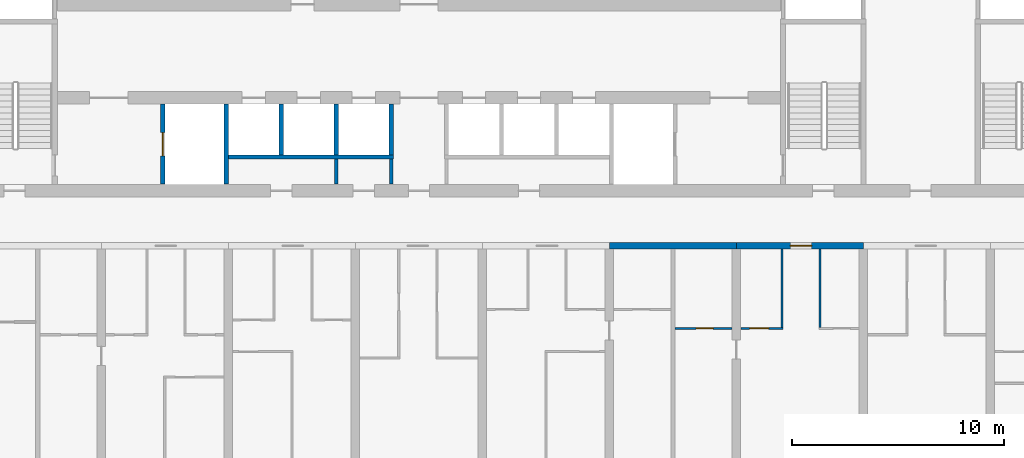
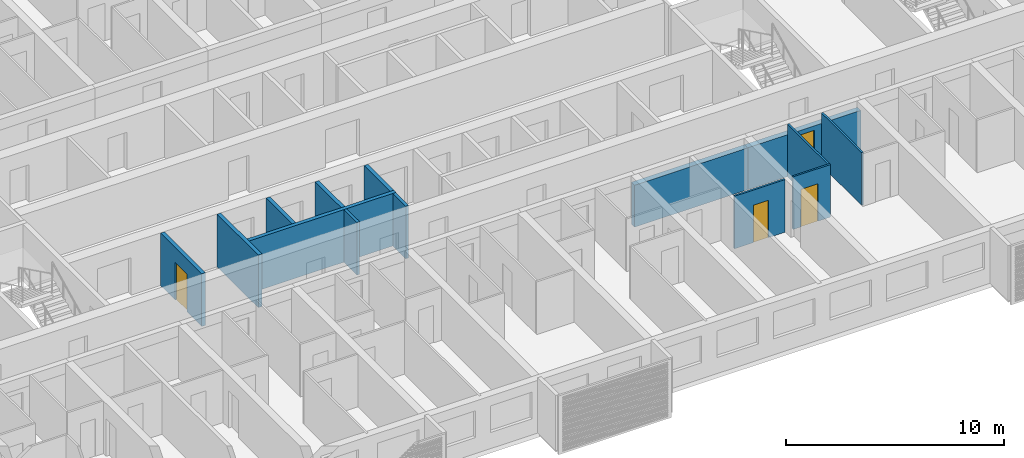
# One storey, part 6 of 39: 14 walls, 4 doors, 4 openings.
"""IFC4 building model written with IfcOpenShell, lengths in metres."""

from ifc_helpers import new_model, si_unit, direction, frame, frame_2d, origin, place, context, subcontext, project, spatial, rectangle, extrude, material, layer, layer_set, type_object, element, fill, save


model = new_model("IFC4")

# Units and contexts
model_context = context("Model", 3, precision=1e-05, world=origin(), true_north=direction((0.0, 1.0)))
body_context = subcontext(model_context, "Body", "Model", "MODEL_VIEW")
ifc_project = project(units=[si_unit("LENGTHUNIT", "METRE"), si_unit("AREAUNIT", "SQUARE_METRE"), si_unit("VOLUMEUNIT", "CUBIC_METRE"), si_unit("PLANEANGLEUNIT", "RADIAN"), si_unit("MASSUNIT", "GRAM", prefix="KILO")], contexts=[model_context])

# Site, building, storey
site_placement = place(None, origin())
site = spatial("IfcSite", under=ifc_project, at=site_placement, CompositionType="ELEMENT")
building_placement = place(site_placement, origin())
building = spatial("IfcBuilding", under=site, at=building_placement, Name="Poui Terraces", CompositionType="ELEMENT")
storey_placement = place(building_placement, frame((0.0, 0.0, 63.0)))
storey = spatial("IfcBuildingStorey", under=building, at=storey_placement, Name="L17", CompositionType="ELEMENT", Elevation=63.0)

# Walls
ifc_material_1 = material(Name="Fire-rated plasterboard wall")
ifc_layer_1 = layer(ifc_material_1, 0.14990234375)
ifc_layer_set_1 = layer_set([ifc_layer_1], Name="Fire-rated plasterboard wall")
wall_type_1 = type_object("IfcWallType", Name="CORRIDOR WALL 150", PredefinedType="PARTITIONING", material=ifc_layer_set_1)
wall_1_placement = place(storey_placement, frame((49.699951171875, 14.909912109375, 0.0), z_axis=(0.0, 0.0, 1.0), x_axis=(0.0, 1.0, 0.0)))
element("IfcWall", 1, at=wall_1_placement, inside=storey, type_object=wall_type_1, Name="CORRIDOR WALL 150", PredefinedType="PARTITIONING", context=body_context, shape_type="SweptSolid", body=[
    extrude(rectangle(XDim=1.190185546875, YDim=0.14990234375, at=frame_2d((0.59521484375, 0.0))), origin(), (0.0, 0.0, 1.0), 2.949951171875),
])
ifc_material_2 = material(Name="Concrete 80 MPa", Category="concrete")
ifc_layer_2 = layer(ifc_material_2, 0.300048828125)
ifc_layer_set_2 = layer_set([ifc_layer_2], Name="Concrete 80 MPa")
wall_type_2 = type_object("IfcWallType", Name="CORRIDOR WALL 300 80MPa", PredefinedType="SHEAR", material=ifc_layer_set_2)
wall_2_placement = place(storey_placement, frame((60.0, 12.0, 0.0), z_axis=(0.0, 0.0, 1.0), x_axis=(1.0, 0.0, 0.0)))
element("IfcWall", 2, at=wall_2_placement, inside=storey, type_object=wall_type_2, Name="CORRIDOR WALL LINE B BAY 10", PredefinedType="SHEAR", context=body_context, shape_type="SweptSolid", body=[
    extrude(rectangle(XDim=6.0, YDim=0.300048828125, at=frame_2d((3.0, 0.0))), origin(), (0.0, 0.0, 1.0), 2.35009765625),
])

# Wall, opening, door
wall_3_placement = place(storey_placement, frame((66.0, 12.0, 0.0), z_axis=(0.0, 0.0, 1.0), x_axis=(1.0, 0.0, 0.0)))
wall_3 = element("IfcWall", 3, at=wall_3_placement, inside=storey, type_object=wall_type_2, Name="CORRIDOR WALL LINE B BAY 11", PredefinedType="SHEAR", context=body_context, shape_type="SweptSolid", body=[
    extrude(rectangle(XDim=6.0, YDim=0.300048828125, at=frame_2d((3.0, 0.0))), origin(), (0.0, 0.0, 1.0), 2.35009765625),
])
opening_1_placement = place(wall_3_placement, frame((2.550048828125, 0.0, 0.0)))
opening_1 = element("IfcOpeningElement", 4, at=opening_1_placement, cuts=wall_3, Name="Opening FD30S", PredefinedType="OPENING", context=body_context, shape_type="SweptSolid", body=[
    extrude(rectangle(XDim=1.0, YDim=2.10009765625, at=frame_2d((0.5, 1.050048828125))), frame((0.0, 0.16015625, 0.0), z_axis=(0.0, -1.0, 0.0), x_axis=(1.0, 0.0, 0.0)), (0.0, 0.0, 1.0), 0.320068359375),
])
ifc_material_3 = material(Name="Steel fire door", Category="steel")
door_type_1 = type_object("IfcDoorType", Name="FLAT ENTRANCE DOOR 1000 X 2100", OperationType="NOTDEFINED", PredefinedType="DOOR", material=ifc_material_3)
door_1_placement = place(opening_1_placement, frame((1.0, 0.0, 0.0), z_axis=(0.0, 0.0, 1.0), x_axis=(-1.0, 0.0, 0.0)))
door_1 = element("IfcDoor", 5, at=door_1_placement, inside=storey, type_object=door_type_1, Name="FLAT ENTRANCE DOOR 121", OperationType="SINGLE_SWING_LEFT", OverallHeight=2.10009765625, OverallWidth=1.0, PredefinedType="DOOR", context=body_context, shape_type="SweptSolid", body=[
    extrude(rectangle(XDim=1.0, YDim=2.10009765625, at=frame_2d((0.5, 1.050048828125))), frame((0.0, 0.02490234375, 0.0), z_axis=(0.0, -1.0, 0.0), x_axis=(1.0, 0.0, 0.0)), (0.0, 0.0, 1.0), 0.050048828125),
])
fill(opening_1, door_1)

ifc_material_4 = material(Name="Plasterboard partition")
ifc_layer_3 = layer(ifc_material_4, 0.10009765625)
ifc_layer_set_3 = layer_set([ifc_layer_3], Name="Plasterboard partition")
wall_type_3 = type_object("IfcWallType", Name="FLAT PARTITION 100", PredefinedType="PARTITIONING", material=ifc_layer_set_3)
wall_4_placement = place(storey_placement, frame((63.10009765625, 8.10009765625, 0.0), z_axis=(0.0, 0.0, 1.0), x_axis=(1.0, 0.0, 0.0)))
wall_4 = element("IfcWall", 6, at=wall_4_placement, inside=storey, type_object=wall_type_3, Name="FLAT PARTITION 100", PredefinedType="PARTITIONING", context=body_context, shape_type="SweptSolid", body=[
    extrude(rectangle(XDim=2.68994140625, YDim=0.10009765625, at=frame_2d((1.344970703125, 0.0))), origin(), (0.0, 0.0, 1.0), 2.949951171875),
])
opening_2_placement = place(wall_4_placement, frame((1.0, 0.0, 0.0)))
opening_2 = element("IfcOpeningElement", 7, at=opening_2_placement, cuts=wall_4, Name="Opening D80", PredefinedType="OPENING", context=body_context, shape_type="SweptSolid", body=[
    extrude(rectangle(XDim=0.800048828125, YDim=2.10009765625, at=frame_2d((0.39990234375, 1.050048828125))), frame((0.0, 0.06005859375, 0.0), z_axis=(0.0, -1.0, 0.0), x_axis=(1.0, 0.0, 0.0)), (0.0, 0.0, 1.0), 0.1201171875),
])
ifc_material_5 = material(Name="Solid core timber door", Category="wood")
door_type_2 = type_object("IfcDoorType", Name="BATHROOM, LAUNDRY AND STORE DOOR 800 X 2100", OperationType="NOTDEFINED", PredefinedType="DOOR", material=ifc_material_5)
door_2_placement = place(opening_2_placement, origin())
door_2 = element("IfcDoor", 8, at=door_2_placement, inside=storey, type_object=door_type_2, Name="BATHROOM, LAUNDRY AND STORE DOOR 118", OperationType="SINGLE_SWING_RIGHT", OverallHeight=2.10009765625, OverallWidth=0.800048828125, PredefinedType="DOOR", context=body_context, shape_type="SweptSolid", body=[
    extrude(rectangle(XDim=0.800048828125, YDim=2.10009765625, at=frame_2d((0.39990234375, 1.050048828125))), frame((0.0, 0.02490234375, 0.0), z_axis=(0.0, -1.0, 0.0), x_axis=(1.0, 0.0, 0.0)), (0.0, 0.0, 1.0), 0.050048828125),
])
fill(opening_2, door_2)

wall_5_placement = place(storey_placement, frame((66.2099609375, 8.10009765625, 0.0), z_axis=(0.0, 0.0, 1.0), x_axis=(1.0, 0.0, 0.0)))
wall_5 = element("IfcWall", 9, at=wall_5_placement, inside=storey, type_object=wall_type_3, Name="FLAT PARTITION 100", PredefinedType="PARTITIONING", context=body_context, shape_type="SweptSolid", body=[
    extrude(rectangle(XDim=1.989990234375, YDim=0.10009765625, at=frame_2d((0.9951171875, 0.0))), origin(), (0.0, 0.0, 1.0), 2.949951171875),
])
opening_3_placement = place(wall_5_placement, frame((0.4150390625, 0.0, 0.0)))
opening_3 = element("IfcOpeningElement", 10, at=opening_3_placement, cuts=wall_5, Name="Opening D90", PredefinedType="OPENING", context=body_context, shape_type="SweptSolid", body=[
    extrude(rectangle(XDim=0.89990234375, YDim=2.10009765625, at=frame_2d((0.449951171875, 1.050048828125))), frame((0.0, 0.06005859375, 0.0), z_axis=(0.0, -1.0, 0.0), x_axis=(1.0, 0.0, 0.0)), (0.0, 0.0, 1.0), 0.1201171875),
])
door_type_3 = type_object("IfcDoorType", Name="INTERNAL DOOR 900 X 2100", OperationType="NOTDEFINED", PredefinedType="DOOR", material=ifc_material_5)
door_3_placement = place(opening_3_placement, origin())
door_3 = element("IfcDoor", 11, at=door_3_placement, inside=storey, type_object=door_type_3, Name="INTERNAL DOOR 120", OperationType="SINGLE_SWING_LEFT", OverallHeight=2.10009765625, OverallWidth=0.89990234375, PredefinedType="DOOR", context=body_context, shape_type="SweptSolid", body=[
    extrude(rectangle(XDim=0.89990234375, YDim=2.10009765625, at=frame_2d((0.449951171875, 1.050048828125))), frame((0.0, 0.02490234375, 0.0), z_axis=(0.0, -1.0, 0.0), x_axis=(1.0, 0.0, 0.0)), (0.0, 0.0, 1.0), 0.050048828125),
])
fill(opening_3, door_3)

# Walls
for number, where, z_axis, x_axis, name in (
    (12, (68.14990234375, 8.14990234375, 0.0), (0.0, 0.0, 1.0), (0.0, 1.0, 0.0), "FLAT PARTITION 100"),
    (13, (69.949951171875, 8.14990234375, 0.0), (0.0, 0.0, 1.0), (0.0, 1.0, 0.0), "FLAT PARTITION 100"),
):
    element("IfcWall", number, at=place(storey_placement, frame(where, z_axis=z_axis, x_axis=x_axis)), inside=storey, type_object=wall_type_3, Name=name, PredefinedType="PARTITIONING", context=body_context, shape_type="SweptSolid", body=[
        extrude(rectangle(XDim=3.690185546875, YDim=0.10009765625, at=frame_2d((1.84521484375, 0.0))), origin(), (0.0, 0.0, 1.0), 2.949951171875),
    ])
ifc_layer_4 = layer(ifc_material_4, 0.14990234375)
ifc_layer_set_4 = layer_set([ifc_layer_4], Name="Plasterboard partition")
wall_type_4 = type_object("IfcWallType", Name="PARTITION WALL 150", PredefinedType="PARTITIONING", material=ifc_layer_set_4)
wall_6_placement = place(storey_placement, frame((47.10009765625, 14.909912109375, 0.0), z_axis=(0.0, 0.0, 1.0), x_axis=(0.0, 1.0, 0.0)))
element("IfcWall", 14, at=wall_6_placement, inside=storey, type_object=wall_type_4, Name="PARTITION WALL 150", PredefinedType="PARTITIONING", context=body_context, shape_type="SweptSolid", body=[
    extrude(rectangle(XDim=1.190185546875, YDim=0.14990234375, at=frame_2d((0.59521484375, 0.0))), origin(), (0.0, 0.0, 1.0), 2.949951171875),
])
ifc_material_6 = material(Name="Fire-rated masonry shaft wall", Category="masonry")
ifc_layer_5 = layer(ifc_material_6, 0.199951171875)
ifc_layer_set_5 = layer_set([ifc_layer_5], Name="Fire-rated masonry shaft wall")
wall_type_5 = type_object("IfcWallType", Name="SHAFT WALL 200", PredefinedType="PARTITIONING", material=ifc_layer_set_5)
wall_7_placement = place(storey_placement, frame((42.0, 16.199951171875, 0.0), z_axis=(0.0, 0.0, 1.0), x_axis=(1.0, 0.0, 0.0)))
element("IfcWall", 15, at=wall_7_placement, inside=storey, type_object=wall_type_5, Name="SHAFT WALL 200", PredefinedType="PARTITIONING", context=body_context, shape_type="SweptSolid", body=[
    extrude(rectangle(XDim=7.800048828125, YDim=0.199951171875, at=frame_2d((3.89990234375, 0.0))), origin(), (0.0, 0.0, 1.0), 2.949951171875),
])

# Wall, opening, door
wall_8_placement = place(storey_placement, frame((38.89990234375, 14.909912109375, 0.0), z_axis=(0.0, 0.0, 1.0), x_axis=(0.0, 1.0, 0.0)))
wall_8 = element("IfcWall", 16, at=wall_8_placement, inside=storey, type_object=wall_type_5, Name="SHAFT WALL 200", PredefinedType="PARTITIONING", context=body_context, shape_type="SweptSolid", body=[
    extrude(rectangle(XDim=3.780029296875, YDim=0.199951171875, at=frame_2d((1.89013671875, 0.0))), origin(), (0.0, 0.0, 1.0), 2.949951171875),
])
opening_4_placement = place(wall_8_placement, frame((1.340087890625, 0.0, 0.0)))
opening_4 = element("IfcOpeningElement", 17, at=opening_4_placement, cuts=wall_8, Name="Opening LD", PredefinedType="OPENING", context=body_context, shape_type="SweptSolid", body=[
    extrude(rectangle(XDim=1.10009765625, YDim=2.10009765625, at=frame_2d((0.550048828125, 1.050048828125))), frame((0.0, 0.10986328125, 0.0), z_axis=(0.0, -1.0, 0.0), x_axis=(1.0, 0.0, 0.0)), (0.0, 0.0, 1.0), 0.219970703125),
])
ifc_material_7 = material(Name="Stainless steel sliding door", Category="steel")
door_type_4 = type_object("IfcDoorType", Name="LIFT LANDING DOOR 1100 X 2100", OperationType="DOUBLE_DOOR_SLIDING", PredefinedType="DOOR", material=ifc_material_7)
door_4_placement = place(opening_4_placement, origin())
door_4 = element("IfcDoor", 18, at=door_4_placement, inside=storey, type_object=door_type_4, Name="LANDING DOOR", OperationType="DOUBLE_DOOR_SLIDING", OverallHeight=2.10009765625, OverallWidth=1.10009765625, PredefinedType="DOOR", context=body_context, shape_type="SweptSolid", body=[
    extrude(rectangle(XDim=1.10009765625, YDim=2.10009765625, at=frame_2d((0.550048828125, 1.050048828125))), frame((0.0, 0.02490234375, 0.0), z_axis=(0.0, -1.0, 0.0), x_axis=(1.0, 0.0, 0.0)), (0.0, 0.0, 1.0), 0.050048828125),
])
fill(opening_4, door_4)

# Walls
wall_9_placement = place(storey_placement, frame((41.89990234375, 14.909912109375, 0.0), z_axis=(0.0, 0.0, 1.0), x_axis=(0.0, 1.0, 0.0)))
element("IfcWall", 19, at=wall_9_placement, inside=storey, type_object=wall_type_5, Name="SHAFT WALL 200", PredefinedType="PARTITIONING", context=body_context, shape_type="SweptSolid", body=[
    extrude(rectangle(XDim=3.780029296875, YDim=0.199951171875, at=frame_2d((1.89013671875, 0.0))), origin(), (0.0, 0.0, 1.0), 2.949951171875),
])
for number, where, z_axis, x_axis, name in (
    (20, (44.5, 16.300048828125, 0.0), (0.0, 0.0, 1.0), (0.0, 1.0, 0.0), "SHAFT WALL 200"),
    (21, (47.10009765625, 16.300048828125, 0.0), (0.0, 0.0, 1.0), (0.0, 1.0, 0.0), "SHAFT WALL 200"),
    (22, (49.699951171875, 16.300048828125, 0.0), (0.0, 0.0, 1.0), (0.0, 1.0, 0.0), "SHAFT WALL 200"),
):
    element("IfcWall", number, at=place(storey_placement, frame(where, z_axis=z_axis, x_axis=x_axis)), inside=storey, type_object=wall_type_5, Name=name, PredefinedType="PARTITIONING", context=body_context, shape_type="SweptSolid", body=[
        extrude(rectangle(XDim=2.389892578125, YDim=0.199951171875, at=frame_2d((1.19482421875, 0.0))), origin(), (0.0, 0.0, 1.0), 2.949951171875),
    ])

save(model, "model.ifc")
